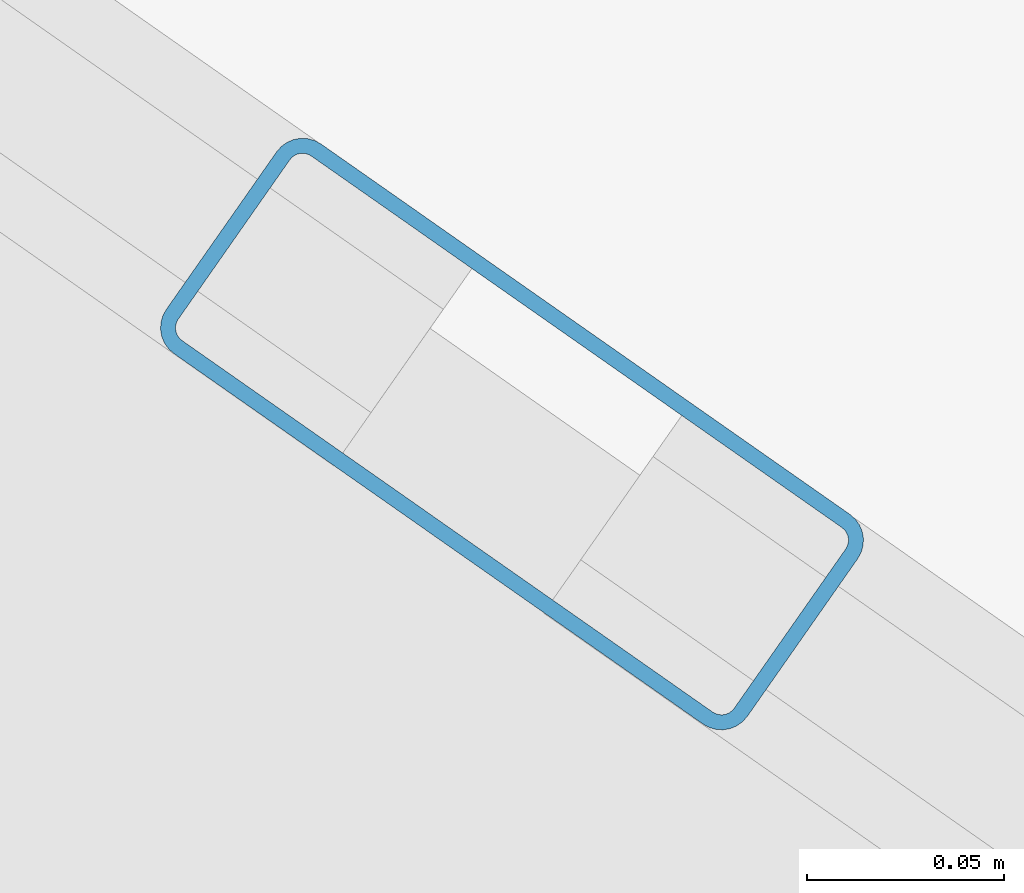
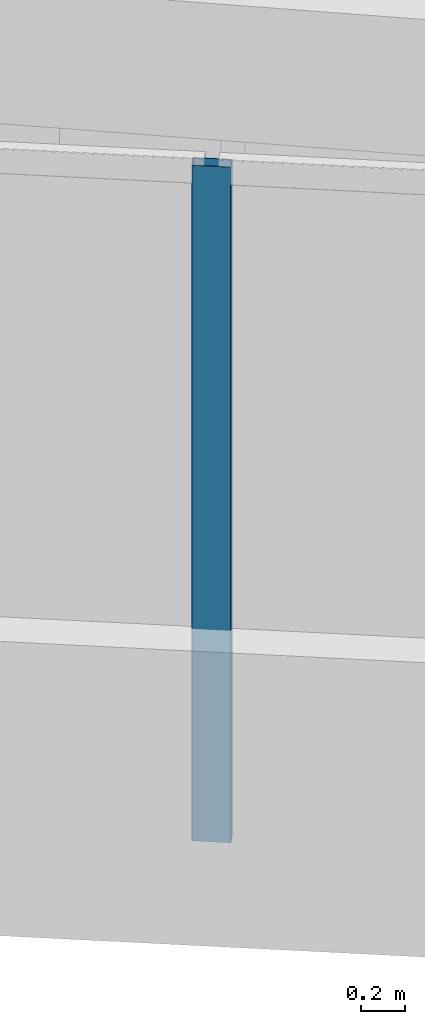
# One storey, part 2 of 21: 1 member, 1 element without a shape of its own.
"""IFC4 building model written with IfcOpenShell, lengths in metres."""

from ifc_helpers import new_model, si_unit, direction, frame, origin, origin_2d, place, context, subcontext, project, spatial, hollow_rectangle, extrude, source, transform, mapped, material, material_profile, profile_set, type_object, element, aggregate, save


model = new_model("IFC4")

# Units and contexts
model_context = context("Model", 3, precision=1e-05, world=origin(), true_north=direction((0.0, 1.0)))
body_context = subcontext(model_context, "Body", "Model", "MODEL_VIEW")
ifc_project = project(units=[si_unit("LENGTHUNIT", "METRE"), si_unit("AREAUNIT", "SQUARE_METRE"), si_unit("VOLUMEUNIT", "CUBIC_METRE"), si_unit("PLANEANGLEUNIT", "RADIAN"), si_unit("MASSUNIT", "GRAM", prefix="KILO")], contexts=[model_context])

# Site, building, storey
site_placement = place(None, origin())
site = spatial("IfcSite", under=ifc_project, at=site_placement, CompositionType="ELEMENT")
building_placement = place(site_placement, origin())
building = spatial("IfcBuilding", under=site, at=building_placement, Name="Torre Montelarca", CompositionType="ELEMENT")
storey_placement = place(building_placement, frame((0.0, 0.0, 200.199951171875)))
storey = spatial("IfcBuildingStorey", under=building, at=storey_placement, Name="L45", CompositionType="ELEMENT", Elevation=200.199951171875)

# Curtain wall, member
ifc_material_1 = material(Name="Insulated low-E laminated glass", Category="glass")
curtain_wall_type = type_object("IfcCurtainWallType", Name="CW-SYS-Z2", PredefinedType="USERDEFINED", material=ifc_material_1)
curtain_wall_placement = place(storey_placement, origin())
curtain_wall = element("IfcCurtainWall", 1, at=curtain_wall_placement, inside=storey, type_object=curtain_wall_type, Name="L45 Curtain Wall Run CW-T3-L45-E01-B1", ObjectType="UNITISED GLAZING", PredefinedType="USERDEFINED")
ifc_material_2 = material(Name="Anodised aluminium AA 6063-T6", Category="aluminium")
ifc_material_profile = material_profile(ifc_material_2, hollow_rectangle(XDim=0.06494140625, YDim=0.179931640625, WallThickness=0.00390625, InnerFilletRadius=0.00390625, OuterFilletRadius=0.008056640625, at=origin_2d()), Name="ALU65X180X4", Category="aluminium")
ifc_profile_set = profile_set([ifc_material_profile], Name="Anodised aluminium AA 6063-T6")
member_type = type_object("IfcMemberType", Name="CWM-ALU180", PredefinedType="MULLION", material=ifc_profile_set)
shared_shape = source(origin(), body_context, "Body", "SweptSolid", [
    extrude(hollow_rectangle(XDim=0.06494140625, YDim=0.179931640625, WallThickness=0.00390625, InnerFilletRadius=0.00390625, OuterFilletRadius=0.008056640625, at=origin_2d()), origin(), (0.0, 0.0, 1.0), 3.719970703125),
])
member_placement = place(storey_placement, frame((6.079345703125, 20.73828125, 0.0), z_axis=(0.0, 0.0, 1.0), x_axis=(0.573572586819, 0.819154739747, 0.0)))
member = element("IfcMember", 2, at=member_placement, type_object=member_type, Name="CW mullion 2", PredefinedType="MULLION", context=body_context, shape_type="MappedRepresentation", body=[
    mapped(shared_shape, transform((0.0, 0.0, 0.0), scale=1.0)),
])
aggregate(curtain_wall, [member])

save(model, "model.ifc")
